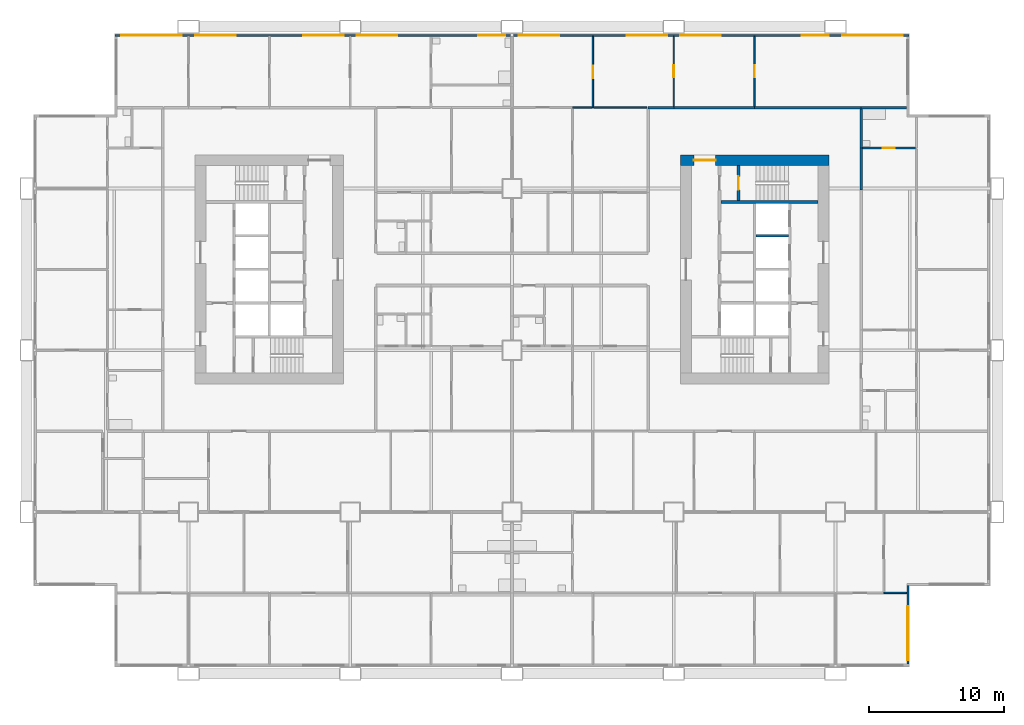
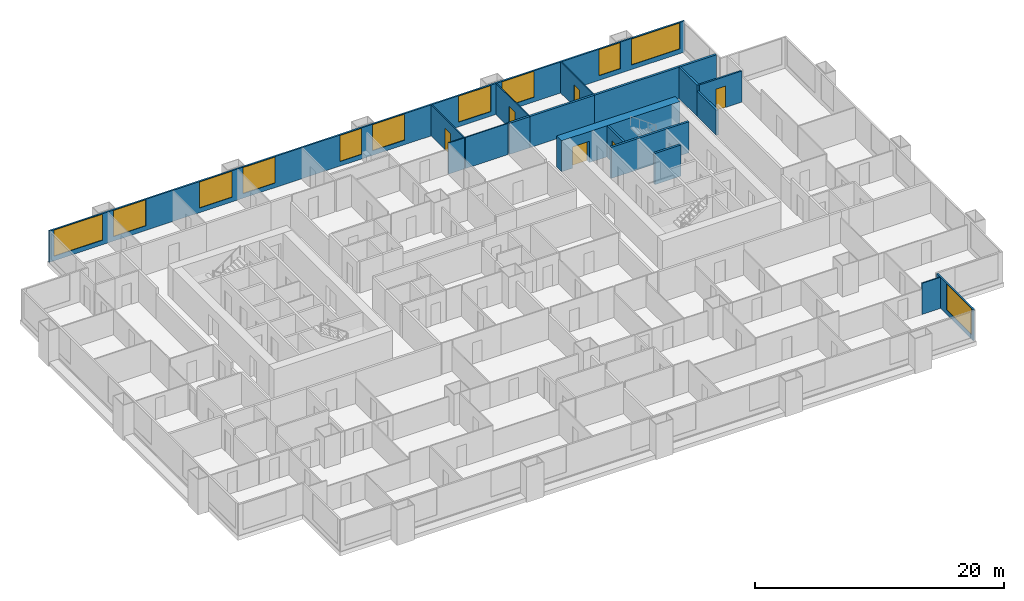
# One storey, part 10 of 14: 19 walls, 11 windows, 6 doors, 17 openings.
"""IFC4 building model written with IfcOpenShell, lengths in metres."""

from ifc_helpers import new_model, si_unit, direction, frame, frame_2d, origin, place, context, subcontext, project, spatial, rectangle, extrude, material, layer, layer_set, type_object, element, fill, save


model = new_model("IFC4")

# Units and contexts
model_context = context("Model", 3, precision=1e-05, world=origin(), true_north=direction((0.0, 1.0)))
body_context = subcontext(model_context, "Body", "Model", "MODEL_VIEW")
ifc_project = project(units=[si_unit("LENGTHUNIT", "METRE"), si_unit("AREAUNIT", "SQUARE_METRE"), si_unit("VOLUMEUNIT", "CUBIC_METRE"), si_unit("PLANEANGLEUNIT", "RADIAN"), si_unit("MASSUNIT", "GRAM", prefix="KILO")], contexts=[model_context])

# Site, building, storey
site_placement = place(None, origin())
site = spatial("IfcSite", under=ifc_project, at=site_placement, CompositionType="ELEMENT")
building_placement = place(site_placement, origin())
building = spatial("IfcBuilding", under=site, at=building_placement, Name="Kitamizu Gate Tower and Museum", CompositionType="ELEMENT")
storey_placement = place(building_placement, frame((0.0, 0.0, 61.050048828125)))
storey = spatial("IfcBuildingStorey", under=building, at=storey_placement, Name="L14", CompositionType="ELEMENT", Elevation=61.050048828125)

# Wall, opening, door
ifc_material_1 = material(Name="Concrete Fc60", Category="concrete")
ifc_layer_1 = layer(ifc_material_1, 0.800048828125)
ifc_layer_set_1 = layer_set([ifc_layer_1], Name="Concrete Fc60")
wall_type_1 = type_object("IfcWallType", Name="Core wall 800", PredefinedType="SHEAR", material=ifc_layer_set_1)
wall_1_placement = place(storey_placement, frame((59.5, 38.10009765625, 0.0), z_axis=(0.0, 0.0, 1.0), x_axis=(-1.0, 0.0, 0.0)))
wall_1 = element("IfcWall", 1, at=wall_1_placement, inside=storey, type_object=wall_type_1, Name="Core wall EN", PredefinedType="SHEAR", context=body_context, shape_type="SweptSolid", body=[
    extrude(rectangle(XDim=11.0, YDim=0.800048828125, at=frame_2d((5.5, 0.0))), origin(), (0.0, 0.0, 1.0), 3.050048828125),
])
opening_1_placement = place(wall_1_placement, frame((8.39990234375, 0.0, 0.0)))
opening_1 = element("IfcOpeningElement", 2, at=opening_1_placement, cuts=wall_1, Name="Opening L14-104", PredefinedType="OPENING", context=body_context, shape_type="SweptSolid", body=[
    extrude(rectangle(XDim=1.60009765625, YDim=2.10009765625, at=frame_2d((0.800048828125, 1.050048828125))), frame((0.0, 0.41015625, 0.0), z_axis=(0.0, -1.0, 0.0), x_axis=(1.0, 0.0, 0.0)), (0.0, 0.0, 1.0), 0.820068359375),
])
ifc_material_2 = material(Name="Timber door set", Category="wood")
door_type_1 = type_object("IfcDoorType", Name="Entrance door 1600", OperationType="DOUBLE_DOOR_SINGLE_SWING", PredefinedType="DOOR", material=ifc_material_2)
door_1_placement = place(opening_1_placement, origin())
door_1 = element("IfcDoor", 3, at=door_1_placement, inside=storey, type_object=door_type_1, Name="Lobby door L14-104", OperationType="DOUBLE_DOOR_SINGLE_SWING", OverallHeight=2.10009765625, OverallWidth=1.60009765625, PredefinedType="DOOR", context=body_context, shape_type="SweptSolid", body=[
    extrude(rectangle(XDim=1.60009765625, YDim=2.10009765625, at=frame_2d((0.800048828125, 1.050048828125))), frame((0.0, 0.02490234375, 0.0), z_axis=(0.0, -1.0, 0.0), x_axis=(1.0, 0.0, 0.0)), (0.0, 0.0, 1.0), 0.050048828125),
])
fill(opening_1, door_1)

# Wall
ifc_material_3 = material(Name="Gypsum board on galvanised stud")
ifc_layer_2 = layer(ifc_material_3, 0.10009765625)
ifc_layer_set_2 = layer_set([ifc_layer_2], Name="Gypsum board on galvanised stud")
wall_type_2 = type_object("IfcWallType", Name="Partition 100 NOT RATED", PredefinedType="PARTITIONING", material=ifc_layer_set_2)
wall_2_placement = place(storey_placement, frame((65.280029296875, 6.0, 0.0), z_axis=(0.0, 0.0, 1.0), x_axis=(-1.0, 0.0, 0.0)))
element("IfcWall", 4, at=wall_2_placement, inside=storey, type_object=wall_type_2, Name="Partition L14-081", PredefinedType="PARTITIONING", context=body_context, shape_type="SweptSolid", body=[
    extrude(rectangle(XDim=1.695068359375, YDim=0.10009765625, at=frame_2d((0.84765625, 0.0))), origin(), (0.0, 0.0, 1.0), 3.050048828125),
])

# Wall, opening, door
wall_3_placement = place(storey_placement, frame((42.0, 42.0, 0.0), z_axis=(0.0, 0.0, 1.0), x_axis=(0.0, 1.0, 0.0)))
wall_3 = element("IfcWall", 5, at=wall_3_placement, inside=storey, type_object=wall_type_2, Name="Partition L14-166", PredefinedType="PARTITIONING", context=body_context, shape_type="SweptSolid", body=[
    extrude(rectangle(XDim=5.280029296875, YDim=0.10009765625, at=frame_2d((2.64013671875, 0.0))), origin(), (0.0, 0.0, 1.0), 3.050048828125),
])
opening_2_placement = place(wall_3_placement, frame((2.18994140625, 0.0, 0.0)))
opening_2 = element("IfcOpeningElement", 6, at=opening_2_placement, cuts=wall_3, Name="Opening L14-072", PredefinedType="OPENING", context=body_context, shape_type="SweptSolid", body=[
    extrude(rectangle(XDim=0.89990234375, YDim=2.10009765625, at=frame_2d((0.449951171875, 1.050048828125))), frame((0.0, 0.06005859375, 0.0), z_axis=(0.0, -1.0, 0.0), x_axis=(1.0, 0.0, 0.0)), (0.0, 0.0, 1.0), 0.1201171875),
])
ifc_material_4 = material(Name="Timber door set", Category="wood")
door_type_2 = type_object("IfcDoorType", Name="Room door 900", OperationType="NOTDEFINED", PredefinedType="DOOR", material=ifc_material_4)
door_2_placement = place(opening_2_placement, origin())
door_2 = element("IfcDoor", 7, at=door_2_placement, inside=storey, type_object=door_type_2, Name="Door L14-072", OperationType="SINGLE_SWING_LEFT", OverallHeight=2.10009765625, OverallWidth=0.89990234375, PredefinedType="DOOR", context=body_context, shape_type="SweptSolid", body=[
    extrude(rectangle(XDim=0.89990234375, YDim=2.10009765625, at=frame_2d((0.449951171875, 1.050048828125))), frame((0.0, 0.02490234375, 0.0), z_axis=(0.0, -1.0, 0.0), x_axis=(1.0, 0.0, 0.0)), (0.0, 0.0, 1.0), 0.050048828125),
])
fill(opening_2, door_2)

# Wall
wall_4_placement = place(storey_placement, frame((40.5, 42.0, 0.0), z_axis=(0.0, 0.0, 1.0), x_axis=(1.0, 0.0, 0.0)))
element("IfcWall", 8, at=wall_4_placement, inside=storey, type_object=wall_type_2, Name="Partition L14-168", PredefinedType="PARTITIONING", context=body_context, shape_type="SweptSolid", body=[
    extrude(rectangle(XDim=1.449951171875, YDim=0.10009765625, at=frame_2d((0.72509765625, 0.0))), origin(), (0.0, 0.0, 1.0), 3.050048828125),
])

# Wall, opening, door
wall_5_placement = place(storey_placement, frame((48.0, 42.10009765625, 0.0), z_axis=(0.0, 0.0, 1.0), x_axis=(0.0, 1.0, 0.0)))
wall_5 = element("IfcWall", 9, at=wall_5_placement, inside=storey, type_object=wall_type_2, Name="Partition L14-169", PredefinedType="PARTITIONING", context=body_context, shape_type="SweptSolid", body=[
    extrude(rectangle(XDim=5.179931640625, YDim=0.10009765625, at=frame_2d((2.58984375, 0.0))), origin(), (0.0, 0.0, 1.0), 3.050048828125),
])
opening_3_placement = place(wall_5_placement, frame((2.139892578125, 0.0, 0.0)))
opening_3 = element("IfcOpeningElement", 10, at=opening_3_placement, cuts=wall_5, Name="Opening L14-073", PredefinedType="OPENING", context=body_context, shape_type="SweptSolid", body=[
    extrude(rectangle(XDim=0.89990234375, YDim=2.10009765625, at=frame_2d((0.449951171875, 1.050048828125))), frame((0.0, 0.06005859375, 0.0), z_axis=(0.0, -1.0, 0.0), x_axis=(1.0, 0.0, 0.0)), (0.0, 0.0, 1.0), 0.1201171875),
])
door_3_placement = place(opening_3_placement, origin())
door_3 = element("IfcDoor", 11, at=door_3_placement, inside=storey, type_object=door_type_2, Name="Door L14-073", OperationType="SINGLE_SWING_RIGHT", OverallHeight=2.10009765625, OverallWidth=0.89990234375, PredefinedType="DOOR", context=body_context, shape_type="SweptSolid", body=[
    extrude(rectangle(XDim=0.89990234375, YDim=2.10009765625, at=frame_2d((0.449951171875, 1.050048828125))), frame((0.0, 0.02490234375, 0.0), z_axis=(0.0, -1.0, 0.0), x_axis=(1.0, 0.0, 0.0)), (0.0, 0.0, 1.0), 0.050048828125),
])
fill(opening_3, door_3)

# Wall
wall_6_placement = place(storey_placement, frame((42.050048828125, 42.0, 0.0), z_axis=(0.0, 0.0, 1.0), x_axis=(1.0, 0.0, 0.0)))
element("IfcWall", 12, at=wall_6_placement, inside=storey, type_object=wall_type_2, Name="Partition L14-170", PredefinedType="PARTITIONING", context=body_context, shape_type="SweptSolid", body=[
    extrude(rectangle(XDim=3.949951171875, YDim=0.10009765625, at=frame_2d((1.97509765625, 0.0))), origin(), (0.0, 0.0, 1.0), 3.050048828125),
])

# Wall, opening, door
wall_7_placement = place(storey_placement, frame((54.0, 42.10009765625, 0.0), z_axis=(0.0, 0.0, 1.0), x_axis=(0.0, 1.0, 0.0)))
wall_7 = element("IfcWall", 13, at=wall_7_placement, inside=storey, type_object=wall_type_2, Name="Partition L14-172", PredefinedType="PARTITIONING", context=body_context, shape_type="SweptSolid", body=[
    extrude(rectangle(XDim=5.179931640625, YDim=0.10009765625, at=frame_2d((2.58984375, 0.0))), origin(), (0.0, 0.0, 1.0), 3.050048828125),
])
opening_4_placement = place(wall_7_placement, frame((2.139892578125, 0.0, 0.0)))
opening_4 = element("IfcOpeningElement", 14, at=opening_4_placement, cuts=wall_7, Name="Opening L14-074", PredefinedType="OPENING", context=body_context, shape_type="SweptSolid", body=[
    extrude(rectangle(XDim=0.89990234375, YDim=2.10009765625, at=frame_2d((0.449951171875, 1.050048828125))), frame((0.0, 0.06005859375, 0.0), z_axis=(0.0, -1.0, 0.0), x_axis=(1.0, 0.0, 0.0)), (0.0, 0.0, 1.0), 0.1201171875),
])
door_4_placement = place(opening_4_placement, origin())
door_4 = element("IfcDoor", 15, at=door_4_placement, inside=storey, type_object=door_type_2, Name="Door L14-074", OperationType="SINGLE_SWING_LEFT", OverallHeight=2.10009765625, OverallWidth=0.89990234375, PredefinedType="DOOR", context=body_context, shape_type="SweptSolid", body=[
    extrude(rectangle(XDim=0.89990234375, YDim=2.10009765625, at=frame_2d((0.449951171875, 1.050048828125))), frame((0.0, 0.02490234375, 0.0), z_axis=(0.0, -1.0, 0.0), x_axis=(1.0, 0.0, 0.0)), (0.0, 0.0, 1.0), 0.050048828125),
])
fill(opening_4, door_4)

ifc_material_5 = material(Name="Gypsum board on galvanised stud")
ifc_layer_3 = layer(ifc_material_5, 0.14990234375)
ifc_layer_set_3 = layer_set([ifc_layer_3], Name="Gypsum board on galvanised stud")
wall_type_3 = type_object("IfcWallType", Name="Partition 150", PredefinedType="PARTITIONING", material=ifc_layer_set_3)
wall_8_placement = place(storey_placement, frame((65.925048828125, 39.0, 0.0), z_axis=(0.0, 0.0, 1.0), x_axis=(-1.0, 0.0, 0.0)))
wall_8 = element("IfcWall", 16, at=wall_8_placement, inside=storey, type_object=wall_type_3, Name="Partition L14-223", PredefinedType="PARTITIONING", context=body_context, shape_type="SweptSolid", body=[
    extrude(rectangle(XDim=3.925048828125, YDim=0.14990234375, at=frame_2d((1.96240234375, 0.0))), origin(), (0.0, 0.0, 1.0), 3.050048828125),
])
opening_5_placement = place(wall_8_placement, frame((1.512451171875, 0.0, 0.0)))
opening_5 = element("IfcOpeningElement", 17, at=opening_5_placement, cuts=wall_8, Name="Opening L14-084", PredefinedType="OPENING", context=body_context, shape_type="SweptSolid", body=[
    extrude(rectangle(XDim=0.89990234375, YDim=2.10009765625, at=frame_2d((0.449951171875, 1.050048828125))), frame((0.0, 0.0849609375, 0.0), z_axis=(0.0, -1.0, 0.0), x_axis=(1.0, 0.0, 0.0)), (0.0, 0.0, 1.0), 0.169921875),
])
ifc_material_6 = material(Name="Timber door set", Category="wood")
door_type_3 = type_object("IfcDoorType", Name="Bathroom door 900", OperationType="NOTDEFINED", PredefinedType="DOOR", material=ifc_material_6)
door_5_placement = place(opening_5_placement, frame((0.89990234375, 0.0, 0.0), x_axis=(-1.0, 0.0, 0.0)))
door_5 = element("IfcDoor", 18, at=door_5_placement, inside=storey, type_object=door_type_3, Name="Bathroom door L14-084", OperationType="SINGLE_SWING_RIGHT", OverallHeight=2.10009765625, OverallWidth=0.89990234375, PredefinedType="DOOR", context=body_context, shape_type="SweptSolid", body=[
    extrude(rectangle(XDim=0.89990234375, YDim=2.10009765625, at=frame_2d((0.449951171875, 1.050048828125))), frame((0.0, 0.02490234375, 0.0), z_axis=(0.0, -1.0, 0.0), x_axis=(1.0, 0.0, 0.0)), (0.0, 0.0, 1.0), 0.050048828125),
])
fill(opening_5, door_5)

# Walls
ifc_material_7 = material(Name="Gypsum board on galvanised stud")
ifc_layer_4 = layer(ifc_material_7, 0.199951171875)
ifc_layer_set_4 = layer_set([ifc_layer_4], Name="Gypsum board on galvanised stud")
wall_type_4 = type_object("IfcWallType", Name="Partition 200", PredefinedType="PARTITIONING", material=ifc_layer_set_4)
wall_9_placement = place(storey_placement, frame((46.10009765625, 42.0, 0.0), z_axis=(0.0, 0.0, 1.0), x_axis=(1.0, 0.0, 0.0)))
element("IfcWall", 19, at=wall_9_placement, inside=storey, type_object=wall_type_4, Name="Partition L14-171", PredefinedType="PARTITIONING", context=body_context, shape_type="SweptSolid", body=[
    extrude(rectangle(XDim=1.89990234375, YDim=0.199951171875, at=frame_2d((0.949951171875, 0.0))), origin(), (0.0, 0.0, 1.0), 3.050048828125),
])
wall_10_placement = place(storey_placement, frame((48.0, 42.0, 0.0), z_axis=(0.0, 0.0, 1.0), x_axis=(1.0, 0.0, 0.0)))
element("IfcWall", 20, at=wall_10_placement, inside=storey, type_object=wall_type_4, Name="Partition L14-173", PredefinedType="PARTITIONING", context=body_context, shape_type="SweptSolid", body=[
    extrude(rectangle(XDim=6.0, YDim=0.199951171875, at=frame_2d((3.0, 0.0))), origin(), (0.0, 0.0, 1.0), 3.050048828125),
])
wall_11_placement = place(storey_placement, frame((61.89990234375, 42.0, 0.0), z_axis=(0.0, 0.0, 1.0), x_axis=(1.0, 0.0, 0.0)))
element("IfcWall", 21, at=wall_11_placement, inside=storey, type_object=wall_type_4, Name="Partition L14-174", PredefinedType="PARTITIONING", context=body_context, shape_type="SweptSolid", body=[
    extrude(rectangle(XDim=3.380126953125, YDim=0.199951171875, at=frame_2d((1.68994140625, 0.0))), origin(), (0.0, 0.0, 1.0), 3.050048828125),
])
wall_12_placement = place(storey_placement, frame((54.0, 42.0, 0.0), z_axis=(0.0, 0.0, 1.0), x_axis=(1.0, 0.0, 0.0)))
element("IfcWall", 22, at=wall_12_placement, inside=storey, type_object=wall_type_4, Name="Partition L14-175", PredefinedType="PARTITIONING", context=body_context, shape_type="SweptSolid", body=[
    extrude(rectangle(XDim=7.89990234375, YDim=0.199951171875, at=frame_2d((3.949951171875, 0.0))), origin(), (0.0, 0.0, 1.0), 3.050048828125),
])
wall_13_placement = place(storey_placement, frame((61.89990234375, 39.0, 0.0), z_axis=(0.0, 0.0, 1.0), x_axis=(0.0, -1.0, 0.0)))
element("IfcWall", 23, at=wall_13_placement, inside=storey, type_object=wall_type_4, Name="Partition L14-224", PredefinedType="PARTITIONING", context=body_context, shape_type="SweptSolid", body=[
    extrude(rectangle(XDim=3.10009765625, YDim=0.199951171875, at=frame_2d((1.550048828125, 0.0))), origin(), (0.0, 0.0, 1.0), 2.449951171875),
])
wall_14_placement = place(storey_placement, frame((61.89990234375, 41.89990234375, 0.0), z_axis=(0.0, 0.0, 1.0), x_axis=(0.0, -1.0, 0.0)))
element("IfcWall", 24, at=wall_14_placement, inside=storey, type_object=wall_type_4, Name="Partition L14-226", PredefinedType="PARTITIONING", context=body_context, shape_type="SweptSolid", body=[
    extrude(rectangle(XDim=2.89990234375, YDim=0.199951171875, at=frame_2d((1.449951171875, 0.0))), origin(), (0.0, 0.0, 1.0), 3.050048828125),
])
ifc_material_8 = material(Name="Concrete Fc42", Category="concrete")
ifc_layer_5 = layer(ifc_material_8, 0.199951171875)
ifc_layer_set_5 = layer_set([ifc_layer_5], Name="Concrete Fc42")
wall_type_5 = type_object("IfcWallType", Name="Shaft wall 200", PredefinedType="SOLIDWALL", material=ifc_layer_set_5)
wall_15_placement = place(storey_placement, frame((58.699951171875, 35.0, 0.0), z_axis=(0.0, 0.0, 1.0), x_axis=(-1.0, 0.0, 0.0)))
element("IfcWall", 25, at=wall_15_placement, inside=storey, type_object=wall_type_5, Name="Shaft wall ENB", PredefinedType="SOLIDWALL", context=body_context, shape_type="SweptSolid", body=[
    extrude(rectangle(XDim=7.199951171875, YDim=0.199951171875, at=frame_2d((3.60009765625, 0.0))), origin(), (0.0, 0.0, 1.0), 3.050048828125),
])

# Wall, opening, door
wall_16_placement = place(storey_placement, frame((52.800048828125, 35.10009765625, 0.0), z_axis=(0.0, 0.0, 1.0), x_axis=(0.0, 1.0, 0.0)))
wall_16 = element("IfcWall", 26, at=wall_16_placement, inside=storey, type_object=wall_type_5, Name="Shaft wall ENZ", PredefinedType="SOLIDWALL", context=body_context, shape_type="SweptSolid", body=[
    extrude(rectangle(XDim=2.599853515625, YDim=0.199951171875, at=frame_2d((1.2998046875, 0.0))), origin(), (0.0, 0.0, 1.0), 3.050048828125),
])
opening_6_placement = place(wall_16_placement, frame((0.800048828125, 0.0, 0.0)))
opening_6 = element("IfcOpeningElement", 27, at=opening_6_placement, cuts=wall_16, Name="Opening L14-100", PredefinedType="OPENING", context=body_context, shape_type="SweptSolid", body=[
    extrude(rectangle(XDim=1.0, YDim=2.10009765625, at=frame_2d((0.5, 1.050048828125))), frame((0.0, 0.10986328125, 0.0), z_axis=(0.0, -1.0, 0.0), x_axis=(1.0, 0.0, 0.0)), (0.0, 0.0, 1.0), 0.219970703125),
])
ifc_material_9 = material(Name="Hollow metal door set")
door_type_4 = type_object("IfcDoorType", Name="Fire door 1000", OperationType="NOTDEFINED", PredefinedType="DOOR", material=ifc_material_9)
door_6_placement = place(opening_6_placement, frame((1.0, 0.0, 0.0), x_axis=(-1.0, 0.0, 0.0)))
door_6 = element("IfcDoor", 28, at=door_6_placement, inside=storey, type_object=door_type_4, Name="Stair door L14-100", OperationType="SINGLE_SWING_LEFT", OverallHeight=2.10009765625, OverallWidth=1.0, PredefinedType="DOOR", context=body_context, shape_type="SweptSolid", body=[
    extrude(rectangle(XDim=1.0, YDim=2.10009765625, at=frame_2d((0.5, 1.050048828125))), frame((0.0, 0.02490234375, 0.0), z_axis=(0.0, -1.0, 0.0), x_axis=(1.0, 0.0, 0.0)), (0.0, 0.0, 1.0), 0.050048828125),
])
fill(opening_6, door_6)

# Wall
wall_17_placement = place(storey_placement, frame((56.5, 32.5, 0.0), z_axis=(0.0, 0.0, 1.0), x_axis=(-1.0, 0.0, 0.0)))
element("IfcWall", 29, at=wall_17_placement, inside=storey, type_object=wall_type_5, Name="Shaft wall EDVW2", PredefinedType="SOLIDWALL", context=body_context, shape_type="SweptSolid", body=[
    extrude(rectangle(XDim=2.39990234375, YDim=0.199951171875, at=frame_2d((1.199951171875, 0.0))), origin(), (0.0, 0.0, 1.0), 3.050048828125),
])

# Wall, opening, window
ifc_material_10 = material(Name="Bronze anodised aluminium frame with insulated spandrel and tinted glass", Category="aluminium")
ifc_layer_6 = layer(ifc_material_10, 0.14990234375)
ifc_layer_set_6 = layer_set([ifc_layer_6], Name="Bronze anodised aluminium frame with insulated spandrel and tinted glass")
wall_type_6 = type_object("IfcWallType", Name="WINDOW WALL 150 BRONZE FRAME EI 30", PredefinedType="ELEMENTEDWALL", material=ifc_layer_set_6)
wall_18_placement = place(storey_placement, frame((65.364990234375, 0.7099609375, 0.0), z_axis=(0.0, 0.0, 1.0), x_axis=(0.0, 1.0, 0.0)))
wall_18 = element("IfcWall", 30, at=wall_18_placement, inside=storey, type_object=wall_type_6, Name="Window wall east L14", PredefinedType="ELEMENTEDWALL", context=body_context, shape_type="SweptSolid", body=[
    extrude(rectangle(XDim=5.85009765625, YDim=0.14990234375, at=frame_2d((2.925048828125, 0.0))), origin(), (0.0, 0.0, 1.0), 3.050048828125),
])
opening_7_placement = place(wall_18_placement, frame((0.2900390625, 0.0, 0.449951171875)))
opening_7 = element("IfcOpeningElement", 31, at=opening_7_placement, cuts=wall_18, Name="Opening W16", PredefinedType="OPENING", context=body_context, shape_type="SweptSolid", body=[
    extrude(rectangle(XDim=4.0, YDim=2.550048828125, at=frame_2d((2.0, 1.27490234375))), frame((0.0, 0.0849609375, 0.0), z_axis=(0.0, -1.0, 0.0), x_axis=(1.0, 0.0, 0.0)), (0.0, 0.0, 1.0), 0.169921875),
])
ifc_material_11 = material(Name="Bronze anodised aluminium frame, tinted triple glazing", Category="aluminium")
window_type_1 = type_object("IfcWindowType", Name="WINDOW 4000 x 2550 SILL 450", PartitioningType="SINGLE_PANEL", PredefinedType="WINDOW", material=ifc_material_11)
window_1_placement = place(opening_7_placement, origin())
window_1 = element("IfcWindow", 32, at=window_1_placement, inside=storey, type_object=window_type_1, Name="Window W16 L14", OverallHeight=2.550048828125, OverallWidth=4.0, PartitioningType="SINGLE_PANEL", PredefinedType="WINDOW", context=body_context, shape_type="SweptSolid", body=[
    extrude(rectangle(XDim=4.0, YDim=2.550048828125, at=frame_2d((2.0, 1.27490234375))), frame((0.0, 0.030029296875, 0.0), z_axis=(0.0, -1.0, 0.0), x_axis=(1.0, 0.0, 0.0)), (0.0, 0.0, 1.0), 0.06005859375),
])
fill(opening_7, window_1)

# Wall, openings, windows
wall_19_placement = place(storey_placement, frame((6.56005859375, 47.364990234375, 0.0), z_axis=(0.0, 0.0, 1.0), x_axis=(1.0, 0.0, 0.0)))
wall_19 = element("IfcWall", 33, at=wall_19_placement, inside=storey, type_object=wall_type_6, Name="Window wall north L14", PredefinedType="ELEMENTEDWALL", context=body_context, shape_type="SweptSolid", body=[
    extrude(rectangle(XDim=58.8798828125, YDim=0.14990234375, at=frame_2d((29.43994140625, 0.0))), origin(), (0.0, 0.0, 1.0), 3.050048828125),
])
opening_8_placement = place(wall_19_placement, frame((0.43994140625, 0.0, 0.449951171875)))
opening_8 = element("IfcOpeningElement", 34, at=opening_8_placement, cuts=wall_19, Name="Opening W15", PredefinedType="OPENING", context=body_context, shape_type="SweptSolid", body=[
    extrude(rectangle(XDim=4.5, YDim=2.550048828125, at=frame_2d((2.25, 1.27490234375))), frame((0.0, 0.0849609375, 0.0), z_axis=(0.0, -1.0, 0.0), x_axis=(1.0, 0.0, 0.0)), (0.0, 0.0, 1.0), 0.169921875),
])
opening_9_placement = place(wall_19_placement, frame((5.93994140625, 0.0, 0.449951171875)))
opening_9 = element("IfcOpeningElement", 35, at=opening_9_placement, cuts=wall_19, Name="Opening W33", PredefinedType="OPENING", context=body_context, shape_type="SweptSolid", body=[
    extrude(rectangle(XDim=3.0, YDim=2.550048828125, at=frame_2d((1.5, 1.27490234375))), frame((0.0, 0.0849609375, 0.0), z_axis=(0.0, -1.0, 0.0), x_axis=(1.0, 0.0, 0.0)), (0.0, 0.0, 1.0), 0.169921875),
])
opening_10_placement = place(wall_19_placement, frame((13.93994140625, 0.0, 0.449951171875)))
opening_10 = element("IfcOpeningElement", 36, at=opening_10_placement, cuts=wall_19, Name="Opening W33", PredefinedType="OPENING", context=body_context, shape_type="SweptSolid", body=[
    extrude(rectangle(XDim=3.0, YDim=2.550048828125, at=frame_2d((1.5, 1.27490234375))), frame((0.0, 0.0849609375, 0.0), z_axis=(0.0, -1.0, 0.0), x_axis=(1.0, 0.0, 0.0)), (0.0, 0.0, 1.0), 0.169921875),
])
opening_11_placement = place(wall_19_placement, frame((17.93994140625, 0.0, 0.449951171875)))
opening_11 = element("IfcOpeningElement", 37, at=opening_11_placement, cuts=wall_19, Name="Opening W33", PredefinedType="OPENING", context=body_context, shape_type="SweptSolid", body=[
    extrude(rectangle(XDim=3.0, YDim=2.550048828125, at=frame_2d((1.5, 1.27490234375))), frame((0.0, 0.0849609375, 0.0), z_axis=(0.0, -1.0, 0.0), x_axis=(1.0, 0.0, 0.0)), (0.0, 0.0, 1.0), 0.169921875),
])
opening_12_placement = place(wall_19_placement, frame((26.93994140625, 0.0, 0.449951171875)))
opening_12 = element("IfcOpeningElement", 38, at=opening_12_placement, cuts=wall_19, Name="Opening W2", PredefinedType="OPENING", context=body_context, shape_type="SweptSolid", body=[
    extrude(rectangle(XDim=2.0, YDim=2.550048828125, at=frame_2d((1.0, 1.27490234375))), frame((0.0, 0.0849609375, 0.0), z_axis=(0.0, -1.0, 0.0), x_axis=(1.0, 0.0, 0.0)), (0.0, 0.0, 1.0), 0.169921875),
])
opening_13_placement = place(wall_19_placement, frame((29.93994140625, 0.0, 0.449951171875)))
opening_13 = element("IfcOpeningElement", 39, at=opening_13_placement, cuts=wall_19, Name="Opening W33", PredefinedType="OPENING", context=body_context, shape_type="SweptSolid", body=[
    extrude(rectangle(XDim=3.0, YDim=2.550048828125, at=frame_2d((1.5, 1.27490234375))), frame((0.0, 0.0849609375, 0.0), z_axis=(0.0, -1.0, 0.0), x_axis=(1.0, 0.0, 0.0)), (0.0, 0.0, 1.0), 0.169921875),
])
opening_14_placement = place(wall_19_placement, frame((37.93994140625, 0.0, 0.449951171875)))
opening_14 = element("IfcOpeningElement", 40, at=opening_14_placement, cuts=wall_19, Name="Opening W33", PredefinedType="OPENING", context=body_context, shape_type="SweptSolid", body=[
    extrude(rectangle(XDim=3.0, YDim=2.550048828125, at=frame_2d((1.5, 1.27490234375))), frame((0.0, 0.0849609375, 0.0), z_axis=(0.0, -1.0, 0.0), x_axis=(1.0, 0.0, 0.0)), (0.0, 0.0, 1.0), 0.169921875),
])
opening_15_placement = place(wall_19_placement, frame((41.93994140625, 0.0, 0.449951171875)))
opening_15 = element("IfcOpeningElement", 41, at=opening_15_placement, cuts=wall_19, Name="Opening W33", PredefinedType="OPENING", context=body_context, shape_type="SweptSolid", body=[
    extrude(rectangle(XDim=3.0, YDim=2.550048828125, at=frame_2d((1.5, 1.27490234375))), frame((0.0, 0.0849609375, 0.0), z_axis=(0.0, -1.0, 0.0), x_axis=(1.0, 0.0, 0.0)), (0.0, 0.0, 1.0), 0.169921875),
])
opening_16_placement = place(wall_19_placement, frame((50.93994140625, 0.0, 0.449951171875)))
opening_16 = element("IfcOpeningElement", 42, at=opening_16_placement, cuts=wall_19, Name="Opening W2", PredefinedType="OPENING", context=body_context, shape_type="SweptSolid", body=[
    extrude(rectangle(XDim=2.0, YDim=2.550048828125, at=frame_2d((1.0, 1.27490234375))), frame((0.0, 0.0849609375, 0.0), z_axis=(0.0, -1.0, 0.0), x_axis=(1.0, 0.0, 0.0)), (0.0, 0.0, 1.0), 0.169921875),
])
opening_17_placement = place(wall_19_placement, frame((53.93994140625, 0.0, 0.449951171875)))
opening_17 = element("IfcOpeningElement", 43, at=opening_17_placement, cuts=wall_19, Name="Opening W15", PredefinedType="OPENING", context=body_context, shape_type="SweptSolid", body=[
    extrude(rectangle(XDim=4.5, YDim=2.550048828125, at=frame_2d((2.25, 1.27490234375))), frame((0.0, 0.0849609375, 0.0), z_axis=(0.0, -1.0, 0.0), x_axis=(1.0, 0.0, 0.0)), (0.0, 0.0, 1.0), 0.169921875),
])
ifc_material_12 = material(Name="Bronze anodised aluminium frame, tinted triple glazing", Category="aluminium")
window_type_2 = type_object("IfcWindowType", Name="WINDOW 2000 x 2550 SILL 450", PartitioningType="SINGLE_PANEL", PredefinedType="WINDOW", material=ifc_material_12)
window_2_placement = place(opening_12_placement, origin())
window_2 = element("IfcWindow", 44, at=window_2_placement, inside=storey, type_object=window_type_2, Name="Window W2 L14", OverallHeight=2.550048828125, OverallWidth=2.0, PartitioningType="SINGLE_PANEL", PredefinedType="WINDOW", context=body_context, shape_type="SweptSolid", body=[
    extrude(rectangle(XDim=2.0, YDim=2.550048828125, at=frame_2d((1.0, 1.27490234375))), frame((0.0, 0.030029296875, 0.0), z_axis=(0.0, -1.0, 0.0), x_axis=(1.0, 0.0, 0.0)), (0.0, 0.0, 1.0), 0.06005859375),
])
fill(opening_12, window_2)
window_3_placement = place(opening_16_placement, origin())
window_3 = element("IfcWindow", 45, at=window_3_placement, inside=storey, type_object=window_type_2, Name="Window W2 L14", OverallHeight=2.550048828125, OverallWidth=2.0, PartitioningType="SINGLE_PANEL", PredefinedType="WINDOW", context=body_context, shape_type="SweptSolid", body=[
    extrude(rectangle(XDim=2.0, YDim=2.550048828125, at=frame_2d((1.0, 1.27490234375))), frame((0.0, 0.030029296875, 0.0), z_axis=(0.0, -1.0, 0.0), x_axis=(1.0, 0.0, 0.0)), (0.0, 0.0, 1.0), 0.06005859375),
])
fill(opening_16, window_3)
ifc_material_13 = material(Name="Bronze anodised aluminium frame, tinted triple glazing", Category="aluminium")
window_type_3 = type_object("IfcWindowType", Name="WINDOW 3000 x 2550 SILL 450", PartitioningType="SINGLE_PANEL", PredefinedType="WINDOW", material=ifc_material_13)
window_4_placement = place(opening_9_placement, origin())
window_4 = element("IfcWindow", 46, at=window_4_placement, inside=storey, type_object=window_type_3, Name="Window W33 L14", OverallHeight=2.550048828125, OverallWidth=3.0, PartitioningType="SINGLE_PANEL", PredefinedType="WINDOW", context=body_context, shape_type="SweptSolid", body=[
    extrude(rectangle(XDim=3.0, YDim=2.550048828125, at=frame_2d((1.5, 1.27490234375))), frame((0.0, 0.030029296875, 0.0), z_axis=(0.0, -1.0, 0.0), x_axis=(1.0, 0.0, 0.0)), (0.0, 0.0, 1.0), 0.06005859375),
])
fill(opening_9, window_4)
window_5_placement = place(opening_10_placement, origin())
window_5 = element("IfcWindow", 47, at=window_5_placement, inside=storey, type_object=window_type_3, Name="Window W33 L14", OverallHeight=2.550048828125, OverallWidth=3.0, PartitioningType="SINGLE_PANEL", PredefinedType="WINDOW", context=body_context, shape_type="SweptSolid", body=[
    extrude(rectangle(XDim=3.0, YDim=2.550048828125, at=frame_2d((1.5, 1.27490234375))), frame((0.0, 0.030029296875, 0.0), z_axis=(0.0, -1.0, 0.0), x_axis=(1.0, 0.0, 0.0)), (0.0, 0.0, 1.0), 0.06005859375),
])
fill(opening_10, window_5)
window_6_placement = place(opening_11_placement, origin())
window_6 = element("IfcWindow", 48, at=window_6_placement, inside=storey, type_object=window_type_3, Name="Window W33 L14", OverallHeight=2.550048828125, OverallWidth=3.0, PartitioningType="SINGLE_PANEL", PredefinedType="WINDOW", context=body_context, shape_type="SweptSolid", body=[
    extrude(rectangle(XDim=3.0, YDim=2.550048828125, at=frame_2d((1.5, 1.27490234375))), frame((0.0, 0.030029296875, 0.0), z_axis=(0.0, -1.0, 0.0), x_axis=(1.0, 0.0, 0.0)), (0.0, 0.0, 1.0), 0.06005859375),
])
fill(opening_11, window_6)
window_7_placement = place(opening_13_placement, origin())
window_7 = element("IfcWindow", 49, at=window_7_placement, inside=storey, type_object=window_type_3, Name="Window W33 L14", OverallHeight=2.550048828125, OverallWidth=3.0, PartitioningType="SINGLE_PANEL", PredefinedType="WINDOW", context=body_context, shape_type="SweptSolid", body=[
    extrude(rectangle(XDim=3.0, YDim=2.550048828125, at=frame_2d((1.5, 1.27490234375))), frame((0.0, 0.030029296875, 0.0), z_axis=(0.0, -1.0, 0.0), x_axis=(1.0, 0.0, 0.0)), (0.0, 0.0, 1.0), 0.06005859375),
])
fill(opening_13, window_7)
window_8_placement = place(opening_14_placement, origin())
window_8 = element("IfcWindow", 50, at=window_8_placement, inside=storey, type_object=window_type_3, Name="Window W33 L14", OverallHeight=2.550048828125, OverallWidth=3.0, PartitioningType="SINGLE_PANEL", PredefinedType="WINDOW", context=body_context, shape_type="SweptSolid", body=[
    extrude(rectangle(XDim=3.0, YDim=2.550048828125, at=frame_2d((1.5, 1.27490234375))), frame((0.0, 0.030029296875, 0.0), z_axis=(0.0, -1.0, 0.0), x_axis=(1.0, 0.0, 0.0)), (0.0, 0.0, 1.0), 0.06005859375),
])
fill(opening_14, window_8)
window_9_placement = place(opening_15_placement, origin())
window_9 = element("IfcWindow", 51, at=window_9_placement, inside=storey, type_object=window_type_3, Name="Window W33 L14", OverallHeight=2.550048828125, OverallWidth=3.0, PartitioningType="SINGLE_PANEL", PredefinedType="WINDOW", context=body_context, shape_type="SweptSolid", body=[
    extrude(rectangle(XDim=3.0, YDim=2.550048828125, at=frame_2d((1.5, 1.27490234375))), frame((0.0, 0.030029296875, 0.0), z_axis=(0.0, -1.0, 0.0), x_axis=(1.0, 0.0, 0.0)), (0.0, 0.0, 1.0), 0.06005859375),
])
fill(opening_15, window_9)
ifc_material_14 = material(Name="Bronze anodised aluminium frame, tinted triple glazing", Category="aluminium")
window_type_4 = type_object("IfcWindowType", Name="WINDOW 4500 x 2550 SILL 450", PartitioningType="SINGLE_PANEL", PredefinedType="WINDOW", material=ifc_material_14)
window_10_placement = place(opening_8_placement, origin())
window_10 = element("IfcWindow", 52, at=window_10_placement, inside=storey, type_object=window_type_4, Name="Window W15 L14", OverallHeight=2.550048828125, OverallWidth=4.5, PartitioningType="SINGLE_PANEL", PredefinedType="WINDOW", context=body_context, shape_type="SweptSolid", body=[
    extrude(rectangle(XDim=4.5, YDim=2.550048828125, at=frame_2d((2.25, 1.27490234375))), frame((0.0, 0.030029296875, 0.0), z_axis=(0.0, -1.0, 0.0), x_axis=(1.0, 0.0, 0.0)), (0.0, 0.0, 1.0), 0.06005859375),
])
fill(opening_8, window_10)
window_11_placement = place(opening_17_placement, origin())
window_11 = element("IfcWindow", 53, at=window_11_placement, inside=storey, type_object=window_type_4, Name="Window W15 L14", OverallHeight=2.550048828125, OverallWidth=4.5, PartitioningType="SINGLE_PANEL", PredefinedType="WINDOW", context=body_context, shape_type="SweptSolid", body=[
    extrude(rectangle(XDim=4.5, YDim=2.550048828125, at=frame_2d((2.25, 1.27490234375))), frame((0.0, 0.030029296875, 0.0), z_axis=(0.0, -1.0, 0.0), x_axis=(1.0, 0.0, 0.0)), (0.0, 0.0, 1.0), 0.06005859375),
])
fill(opening_17, window_11)

save(model, "model.ifc")
